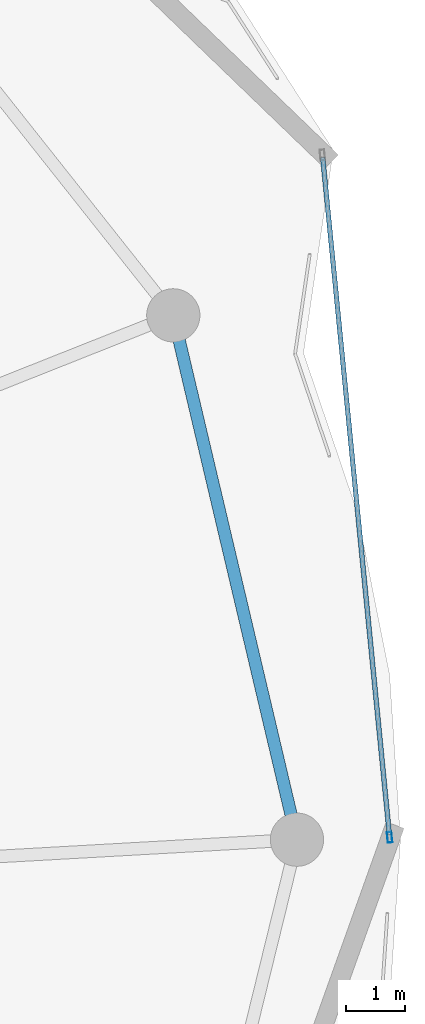
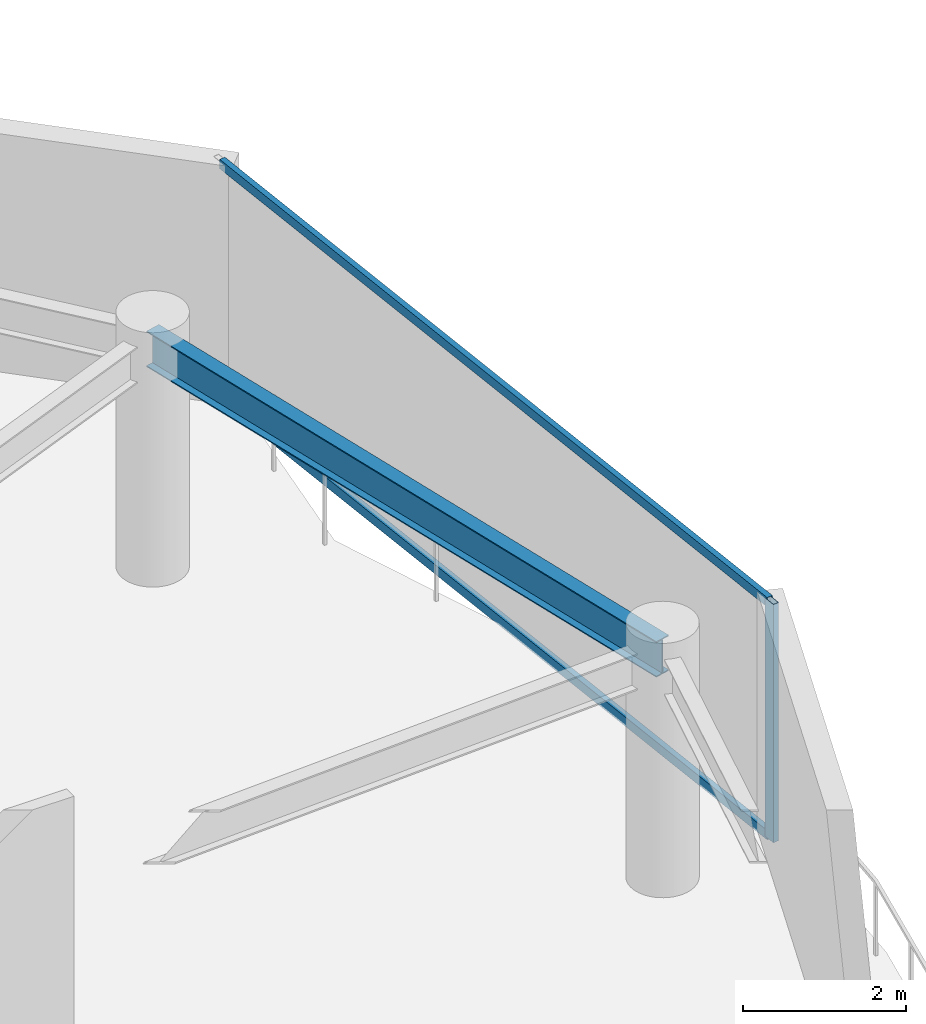
# One storey, part 17 of 30: 3 members, 1 beam, 1 element without a shape of its own.
"""IFC4 building model written with IfcOpenShell, lengths in metres."""

from ifc_helpers import new_model, si_unit, direction, frame, origin, origin_2d, place, context, subcontext, project, spatial, hollow_rectangle, i_section, extrude, material, layer, layer_set, material_profile, profile_set, type_object, element, aggregate, save


model = new_model("IFC4")

# Units and contexts
model_context = context("Model", 3, precision=1e-05, world=origin(), true_north=direction((0.0, 1.0)))
body_context = subcontext(model_context, "Body", "Model", "MODEL_VIEW")
ifc_project = project(units=[si_unit("LENGTHUNIT", "METRE"), si_unit("AREAUNIT", "SQUARE_METRE"), si_unit("VOLUMEUNIT", "CUBIC_METRE"), si_unit("PLANEANGLEUNIT", "RADIAN"), si_unit("MASSUNIT", "GRAM", prefix="KILO")], contexts=[model_context])

# Site, building, storey
site_placement = place(None, origin())
site = spatial("IfcSite", under=ifc_project, at=site_placement, CompositionType="ELEMENT")
building_placement = place(site_placement, origin())
building = spatial("IfcBuilding", under=site, at=building_placement, Name="Kazevale Care Tower and Concert Hall", CompositionType="ELEMENT")
storey_placement = place(building_placement, frame((0.0, 0.0, 258.60009765625)))
storey = spatial("IfcBuildingStorey", under=building, at=storey_placement, Name="L68", CompositionType="ELEMENT", Elevation=258.60009765625)

# Curtain wall, members
ifc_material_1 = material(Name="Aluminium 6063-T6 and Low-E Glass", Category="aluminium")
ifc_layer = layer(ifc_material_1, 0.179931640625)
ifc_layer_set = layer_set([ifc_layer], Name="Aluminium 6063-T6 and Low-E Glass")
curtain_wall_type = type_object("IfcCurtainWallType", Name="Waist & Upper Residential Curtain Wall CW-4", PredefinedType="NOTDEFINED", material=ifc_layer_set)
curtain_wall_placement = place(storey_placement, origin())
curtain_wall = element("IfcCurtainWall", 1, at=curtain_wall_placement, inside=storey, type_object=curtain_wall_type, Name="cw:L68:f18", PredefinedType="NOTDEFINED")
ifc_material_2 = material(Name="Aluminium 6063-T6", Category="aluminium")
ifc_material_profile_1 = material_profile(ifc_material_2, hollow_rectangle(XDim=0.080078125, YDim=0.179931640625, WallThickness=0.0048828125, at=origin_2d()), Name="ALU80x180x5")
ifc_profile_set_1 = profile_set([ifc_material_profile_1], Name="Aluminium 6063-T6")
member_type_1 = type_object("IfcMemberType", Name="CW-4 Mullion ALU80x180x5", PredefinedType="MULLION", material=ifc_profile_set_1)
member_1_placement = place(storey_placement, frame((74.01611328125, 38.039794921875, 0.0), z_axis=(0.0, 0.0, 1.0), x_axis=(0.995187959773, 0.097984308555, 0.0)))
member_1 = element("IfcMember", 2, at=member_1_placement, type_object=member_type_1, Name="CW-4 mullion 2", PredefinedType="MULLION", context=body_context, shape_type="SweptSolid", body=[
    extrude(hollow_rectangle(XDim=0.080078125, YDim=0.179931640625, WallThickness=0.0048828125, at=origin_2d()), origin(), (0.0, 0.0, 1.0), 3.559814453125),
])
ifc_material_profile_2 = material_profile(ifc_material_2, hollow_rectangle(XDim=0.080078125, YDim=0.139892578125, WallThickness=0.00390625, at=origin_2d()), Name="ALU80x140x4")
ifc_profile_set_2 = profile_set([ifc_material_profile_2], Name="Aluminium 6063-T6")
member_type_2 = type_object("IfcMemberType", Name="CW-4 Transom ALU80x140x4", PredefinedType="USERDEFINED", material=ifc_profile_set_2)
member_2_placement = place(storey_placement, frame((72.884765625, 49.529296875, 0.039794921875), z_axis=(0.097995076591, -0.995186899514, 0.0), x_axis=(0.995186899514, 0.097995076591, 0.0)))
member_2 = element("IfcMember", 3, at=member_2_placement, type_object=member_type_2, Name="CW-4 transom 1.1", ObjectType="TRANSOM", PredefinedType="USERDEFINED", context=body_context, shape_type="SweptSolid", body=[
    extrude(hollow_rectangle(XDim=0.080078125, YDim=0.139892578125, WallThickness=0.00390625, at=origin_2d()), origin(), (0.0, 0.0, 1.0), 11.505126953125),
])
member_3_placement = place(storey_placement, frame((72.884765625, 49.529296875, 3.52001953125), z_axis=(0.097995076591, -0.995186899514, 0.0), x_axis=(0.995186899514, 0.097995076591, 0.0)))
member_3 = element("IfcMember", 4, at=member_3_placement, type_object=member_type_2, Name="CW-4 transom 1.2", ObjectType="TRANSOM", PredefinedType="USERDEFINED", context=body_context, shape_type="SweptSolid", body=[
    extrude(hollow_rectangle(XDim=0.080078125, YDim=0.139892578125, WallThickness=0.00390625, at=origin_2d()), origin(), (0.0, 0.0, 1.0), 11.505126953125),
])
aggregate(curtain_wall, [member_1, member_2, member_3])

# Beam
ifc_material_3 = material(Name="Steel ASTM A572 Gr 50", Category="steel")
ifc_material_profile_3 = material_profile(ifc_material_3, i_section(OverallWidth=0.208984375, OverallDepth=0.532958984375, WebThickness=0.01025390625, FlangeThickness=0.015625, at=origin_2d()), Name="W530x92")
ifc_profile_set_3 = profile_set([ifc_material_profile_3], Name="Steel ASTM A572 Gr 50")
beam_type = type_object("IfcBeamType", Name="Upper Ring Beam W530x92", PredefinedType="BEAM", material=ifc_profile_set_3)
beam_placement = place(storey_placement, frame((72.449951171875, 38.0, 3.29345703125), z_axis=(-0.229571460706, 0.973291808467, 0.0), x_axis=(-0.973291808467, -0.229571460706, 0.0)))
element("IfcBeam", 5, at=beam_placement, inside=storey, type_object=beam_type, Name="beam:L68:ring:01", PredefinedType="BEAM", context=body_context, shape_type="SweptSolid", body=[
    extrude(i_section(OverallWidth=0.208984375, OverallDepth=0.532958984375, WebThickness=0.01025390625, FlangeThickness=0.015625, at=origin_2d()), origin(), (0.0, 0.0, 1.0), 9.103271484375),
])

save(model, "model.ifc")
